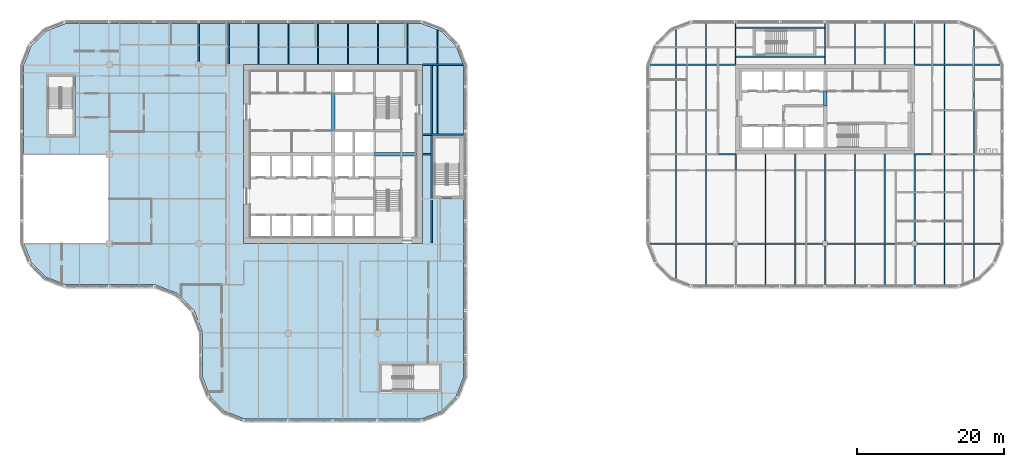
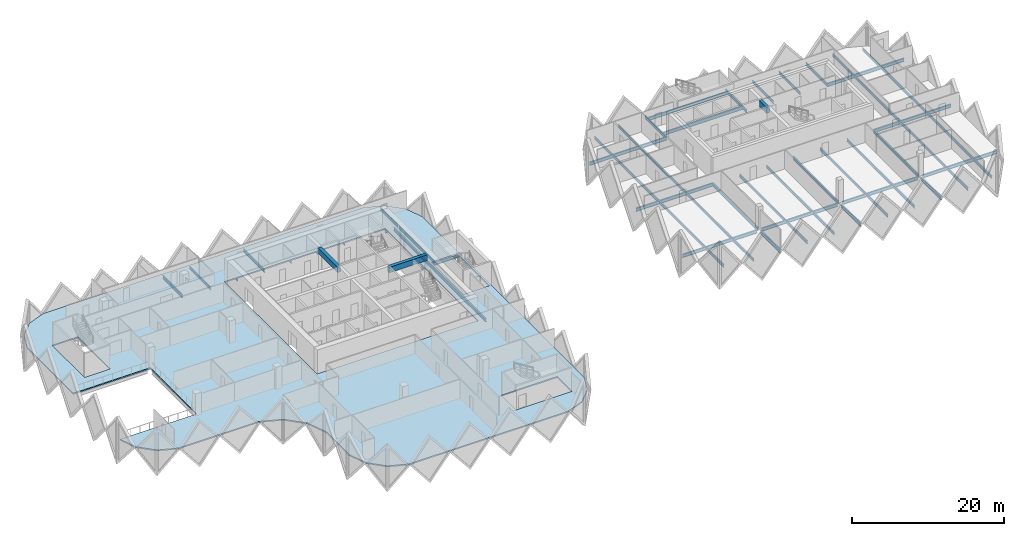
# One storey, part 2 of 19: 62 beams, 1 slab.
"""IFC4 building model written with IfcOpenShell, lengths in metres."""

import ifcopenshell
import ifcopenshell.guid

model = None  # the IFC model being written
_history = None  # IfcOwnerHistory: only IFC2X3 demands one
_inside = {}  # id of a spatial element -> (the spatial element, [elements in it])
_under = {}  # id of a project, library or spatial element -> (it, [spatial elements below it])
_declared = {}  # id of a project -> (the project, [libraries it declares])
_typed = {}  # id of a type object -> (the type object, [elements of that type])
_made_of = {}  # id of a material, layer set ... -> (it, [elements and type objects made of it])


def new_model(schema):
    """Start an empty IFC model of exactly this schema.

    Asked for "IFC4X3", IfcOpenShell would pick the latest addendum, in which some entities
    have other attributes; the version numbers below select the first issue.
    IFC2X3 requires an IfcOwnerHistory on every rooted entity: one is made here for all.
    """
    global model, _history
    if schema == "IFC4X3":
        model = ifcopenshell.file(schema_version=(4, 3, 0, 0))
    else:
        model = ifcopenshell.file(schema=schema)
    _inside.clear()
    _under.clear()
    _declared.clear()
    _typed.clear()
    _made_of.clear()
    _history = None
    if model.schema == "IFC2X3":
        org = make("IfcOrganization", Name="unknown")
        user = make(
            "IfcPersonAndOrganization",
            ThePerson=make("IfcPerson", FamilyName="unknown"),
            TheOrganization=org,
        )
        app = make(
            "IfcApplication",
            ApplicationDeveloper=org,
            Version="unknown",
            ApplicationFullName="unknown",
            ApplicationIdentifier="unknown",
        )
        _history = make(
            "IfcOwnerHistory",
            OwningUser=user,
            OwningApplication=app,
            ChangeAction="ADDED",
            CreationDate=0,
        )
    return model


def make(cls, **values):
    """One entity of the class cls with the attributes given. An attribute that is None is left unset."""
    return model.create_entity(
        cls, **{name: value for name, value in values.items() if value is not None}
    )


def rooted(cls, **values):
    """An entity with a GlobalId (a new one), such as an element, a storey or a relation."""
    return make(cls, GlobalId=ifcopenshell.guid.new(), OwnerHistory=_history, **values)


def si_unit(unit_type, name, prefix=None):
    """IfcSIUnit, for example si_unit("LENGTHUNIT", "METRE", prefix="MILLI")."""
    return make("IfcSIUnit", UnitType=unit_type, Prefix=prefix, Name=name)


def assignment(units):
    """IfcUnitAssignment: the units of a project."""
    return None if units is None else make("IfcUnitAssignment", Units=units)


def point(xyz):
    """IfcCartesianPoint."""
    return None if xyz is None else make("IfcCartesianPoint", Coordinates=xyz)


def direction(xyz):
    """IfcDirection."""
    return None if xyz is None else make("IfcDirection", DirectionRatios=xyz)


def frame(location, z_axis=None, x_axis=None):
    """IfcAxis2Placement3D, a coordinate frame: its origin and axes. An axis left out is left unset."""
    return make(
        "IfcAxis2Placement3D",
        Location=point(location),
        Axis=direction(z_axis),
        RefDirection=direction(x_axis),
    )


def frame_2d(location, x_axis=None):
    """IfcAxis2Placement2D, a coordinate frame in the plane: its origin and x axis."""
    return make(
        "IfcAxis2Placement2D", Location=point(location), RefDirection=direction(x_axis)
    )


def origin():
    """The frame at (0, 0, 0) with its axes left unset."""
    return frame((0.0, 0.0, 0.0))


def origin_2d():
    """The frame at (0, 0) in the plane with its x axis left unset."""
    return frame_2d((0.0, 0.0))


def place(relative_to, where):
    """IfcLocalPlacement: puts the frame where relative to a parent placement (None: the world)."""
    return make(
        "IfcLocalPlacement", PlacementRelTo=relative_to, RelativePlacement=where
    )


def context(
    kind, dimensions, precision=None, world=None, true_north=None, identifier=None
):
    """IfcGeometricRepresentationContext, for example the 3D "Model" context."""
    return make(
        "IfcGeometricRepresentationContext",
        ContextIdentifier=identifier,
        ContextType=kind,
        CoordinateSpaceDimension=dimensions,
        Precision=precision,
        WorldCoordinateSystem=world,
        TrueNorth=true_north,
    )


def subcontext(parent, identifier, kind, view, scale=None):
    """IfcGeometricRepresentationSubContext, for example "Body" below "Model"."""
    return make(
        "IfcGeometricRepresentationSubContext",
        ContextIdentifier=identifier,
        ContextType=kind,
        ParentContext=parent,
        TargetScale=scale,
        TargetView=view,
    )


def project(units=None, contexts=None):
    """IfcProject with its units and contexts."""
    return rooted(
        "IfcProject",
        Name="project",
        RepresentationContexts=contexts,
        UnitsInContext=assignment(units),
    )


def spatial(cls, under=None, at=None, **own):
    """A site, building, storey or space (cls), placed at a placement, below another one or the project."""
    s = rooted(cls, ObjectPlacement=at, **own)
    if under is not None:
        _under.setdefault(under.id(), (under, []))[1].append(s)
    return s


def polyline(points):
    """IfcPolyline through the points."""
    return make("IfcPolyline", Points=[point(p) for p in points])


def profile(cls, at=None, kind="AREA", **sizes):
    """A parametric profile (cls). Its sizes go by their IFC names, for example OverallWidth=200.0."""
    return make(cls, ProfileType=kind, Position=at, **sizes)


def rectangle(**sizes):
    """IfcRectangleProfileDef."""
    return profile("IfcRectangleProfileDef", **sizes)


def i_section(**sizes):
    """IfcIShapeProfileDef."""
    return profile("IfcIShapeProfileDef", **sizes)


def outline(outer, holes=None, kind="AREA"):
    """IfcArbitraryClosedProfileDef: a profile drawn as a closed curve; with holes, ...WithVoids."""
    if holes is None:
        return make("IfcArbitraryClosedProfileDef", ProfileType=kind, OuterCurve=outer)
    return make(
        "IfcArbitraryProfileDefWithVoids",
        ProfileType=kind,
        OuterCurve=outer,
        InnerCurves=holes,
    )


def extrude(swept, where, along, depth):
    """IfcExtrudedAreaSolid: the profile swept, set in the frame where, extruded along a direction by depth."""
    return make(
        "IfcExtrudedAreaSolid",
        SweptArea=swept,
        Position=where,
        ExtrudedDirection=direction(along),
        Depth=depth,
    )


def shape(context_of_items, identifier, shape_type, items):
    """IfcShapeRepresentation: the items that make up one representation, for example the "Body"."""
    return make(
        "IfcShapeRepresentation",
        ContextOfItems=context_of_items,
        RepresentationIdentifier=identifier,
        RepresentationType=shape_type,
        Items=items,
    )


def material(Name=None, Category=None):
    """IfcMaterial."""
    return make("IfcMaterial", Name=Name, Category=Category)


def layer(
    of_material, thickness, ventilated=None, Name=None, Category=None, Priority=None
):
    """IfcMaterialLayer: one layer of a wall or slab, of a material (None: an air gap)."""
    return make(
        "IfcMaterialLayer",
        Material=of_material,
        LayerThickness=thickness,
        IsVentilated=ventilated,
        Name=Name,
        Category=Category,
        Priority=Priority,
    )


def layer_set(layers, Name=None):
    """IfcMaterialLayerSet."""
    return make("IfcMaterialLayerSet", MaterialLayers=layers, LayerSetName=Name)


def material_profile(
    of_material, cross_section, Name=None, Category=None, Priority=None
):
    """IfcMaterialProfile: a cross section and its material."""
    return make(
        "IfcMaterialProfile",
        Name=Name,
        Material=of_material,
        Profile=cross_section,
        Priority=Priority,
        Category=Category,
    )


def profile_set(profiles, Name=None, composite=None):
    """IfcMaterialProfileSet."""
    return make(
        "IfcMaterialProfileSet",
        Name=Name,
        MaterialProfiles=profiles,
        CompositeProfile=composite,
    )


def made_of(thing, what):
    """Note that an element or type object is made of a material, layer set ...; save() writes the relation."""
    if what is not None:
        _made_of.setdefault(what.id(), (what, []))[1].append(thing)
    return thing


def type_object(cls, material=None, **own):
    """A type object (cls), such as IfcWallType, which elements share."""
    return made_of(rooted(cls, **own), material)


def element(
    cls,
    number,
    at=None,
    inside=None,
    cuts=None,
    type_object=None,
    material=None,
    context=None,
    identifier="Body",
    shape_type=None,
    held_by="IfcProductDefinitionShape",
    body=None,
    shapes=None,
    **own,
):
    """One element of the class cls, such as IfcWall. Its Tag is "e" and its number.

    at: its placement. inside: the storey or other place that contains it. cuts: it is an
    opening in that element (IfcRelVoidsElement). A single representation is given by context,
    identifier, shape_type and body (its items); several are given by shapes. held_by: the class
    of the entity that holds the representations. save() writes the other relations.
    """
    e = rooted(cls, Tag="e%d" % number, ObjectPlacement=at, **own)
    if body is not None:
        shapes = [shape(context, identifier, shape_type, body)]
    if shapes is not None:
        e.Representation = make(held_by, Representations=shapes)
    if inside is not None:
        _inside.setdefault(inside.id(), (inside, []))[1].append(e)
    if cuts is not None:
        rooted(
            "IfcRelVoidsElement", RelatingBuildingElement=cuts, RelatedOpeningElement=e
        )
    if type_object is not None:
        _typed.setdefault(type_object.id(), (type_object, []))[1].append(e)
    return made_of(e, material)


def aggregate(whole, parts):
    """IfcRelAggregates: a whole, such as a stair, and the parts it consists of."""
    return rooted("IfcRelAggregates", RelatingObject=whole, RelatedObjects=parts)


def save(model, path):
    """Write the relations noted so far, then the file.

    IfcRelAggregates (storeys below a building ...), IfcRelContainedInSpatialStructure (elements
    in a storey), IfcRelDefinesByType, IfcRelAssociatesMaterial and IfcRelDeclares: one each for
    every whole, place, type object, material and project.
    """
    for whole, parts in _under.values():
        aggregate(whole, parts)
    for where, things in _inside.values():
        rooted(
            "IfcRelContainedInSpatialStructure",
            RelatedElements=things,
            RelatingStructure=where,
        )
    for kind, things in _typed.values():
        rooted("IfcRelDefinesByType", RelatedObjects=things, RelatingType=kind)
    for what, things in _made_of.values():
        rooted("IfcRelAssociatesMaterial", RelatedObjects=things, RelatingMaterial=what)
    for by, libraries in _declared.values():
        rooted("IfcRelDeclares", RelatingContext=by, RelatedDefinitions=libraries)
    model.write(path)


model = new_model("IFC4")

# Units and contexts
model_context = context("Model", 3, precision=1e-05, world=origin(), true_north=direction((0.0, 1.0)))
body_context = subcontext(model_context, "Body", "Model", "MODEL_VIEW")
ifc_project = project(units=[si_unit("LENGTHUNIT", "METRE"), si_unit("AREAUNIT", "SQUARE_METRE"), si_unit("VOLUMEUNIT", "CUBIC_METRE"), si_unit("PLANEANGLEUNIT", "RADIAN"), si_unit("MASSUNIT", "GRAM", prefix="KILO")], contexts=[model_context])

# Site, building, storey
site_placement = place(None, origin())
site = spatial("IfcSite", under=ifc_project, at=site_placement, CompositionType="ELEMENT")
building_placement = place(site_placement, origin())
building = spatial("IfcBuilding", under=site, at=building_placement, Name="Tessera Gate Towers", CompositionType="ELEMENT")
storey_placement = place(building_placement, frame((0.0, 0.0, 80.0)))
storey = spatial("IfcBuildingStorey", under=building, at=storey_placement, Name="L19", CompositionType="ELEMENT", Elevation=80.0)

# Beams
ifc_material_1 = material(Name="Concrete C50/60", Category="concrete")
ifc_material_profile_1 = material_profile(ifc_material_1, rectangle(XDim=0.5, YDim=0.89990234375, at=origin_2d()), Name="RC 500x900")
ifc_profile_set_1 = profile_set([ifc_material_profile_1], Name="Concrete C50/60")
beam_type_1 = type_object("IfcBeamType", Name="COUPLING BEAM 500x900 C50/60", PredefinedType="BEAM", material=ifc_profile_set_1)
beam_1_placement = place(storey_placement, frame((109.800048828125, 43.199951171875, 3.14990234375), z_axis=(0.0, 1.0, 0.0), x_axis=(-1.0, 0.0, 0.0)))
element("IfcBeam", 1, at=beam_1_placement, inside=storey, type_object=beam_type_1, Name="L19 coupling beam 1", PredefinedType="BEAM", context=body_context, shape_type="SweptSolid", body=[
    extrude(rectangle(XDim=0.5, YDim=0.89990234375, at=origin_2d()), origin(), (0.0, 0.0, 1.0), 2.0),
])
ifc_material_2 = material(Name="Concrete C60/75", Category="concrete")
ifc_material_profile_2 = material_profile(ifc_material_2, rectangle(XDim=0.5, YDim=0.89990234375, at=origin_2d()), Name="RC 500x900")
ifc_profile_set_2 = profile_set([ifc_material_profile_2], Name="Concrete C60/75")
beam_type_2 = type_object("IfcBeamType", Name="COUPLING BEAM 500x900 C60/75", PredefinedType="BEAM", material=ifc_profile_set_2)
beam_2_placement = place(storey_placement, frame((48.35009765625, 36.60009765625, 3.14990234375), z_axis=(1.0, 0.0, 0.0), x_axis=(0.0, 1.0, 0.0)))
element("IfcBeam", 2, at=beam_2_placement, inside=storey, type_object=beam_type_2, Name="L19 coupling beam 1", PredefinedType="BEAM", context=body_context, shape_type="SweptSolid", body=[
    extrude(rectangle(XDim=0.5, YDim=0.89990234375, at=origin_2d()), origin(), (0.0, 0.0, 1.0), 5.75),
])
beam_3_placement = place(storey_placement, frame((42.699951171875, 39.800048828125, 3.14990234375), z_axis=(0.0, 1.0, 0.0), x_axis=(-1.0, 0.0, 0.0)))
element("IfcBeam", 3, at=beam_3_placement, inside=storey, type_object=beam_type_2, Name="L19 coupling beam 2", PredefinedType="BEAM", context=body_context, shape_type="SweptSolid", body=[
    extrude(rectangle(XDim=0.5, YDim=0.89990234375, at=origin_2d()), origin(), (0.0, 0.0, 1.0), 5.099853515625),
])
ifc_material_3 = material(Name="Steel 350W", Category="steel")
ifc_material_profile_3 = material_profile(ifc_material_3, i_section(OverallWidth=0.208984375, OverallDepth=0.532958984375, WebThickness=0.01025390625, FlangeThickness=0.015625, at=origin_2d()), Name="W530x92")
ifc_profile_set_3 = profile_set([ifc_material_profile_3], Name="Steel 350W")
beam_type_3 = type_object("IfcBeamType", Name="FLOOR GIRDER W530x92", PredefinedType="BEAM", material=ifc_profile_set_3)
beam_4_placement = place(storey_placement, frame((54.89892578125, 36.60009765625, -0.466552734375), z_axis=(1.0, 0.0, 0.0), x_axis=(0.0, 1.0, 0.0)))
element("IfcBeam", 4, at=beam_4_placement, inside=storey, type_object=beam_type_3, Name="T1-GD-L19-2592", PredefinedType="BEAM", context=body_context, shape_type="SweptSolid", body=[
    extrude(i_section(OverallWidth=0.208984375, OverallDepth=0.532958984375, WebThickness=0.01025390625, FlangeThickness=0.015625, at=origin_2d()), origin(), (0.0, 0.0, 1.0), 1.176513671875),
])
beam_5_placement = place(storey_placement, frame((54.90087890625, 48.800048828125, -0.466552734375), z_axis=(1.0, 0.0, 0.0), x_axis=(0.0, 1.0, 0.0)))
element("IfcBeam", 5, at=beam_5_placement, inside=storey, type_object=beam_type_3, Name="T1-GD-L19-2596", PredefinedType="BEAM", context=body_context, shape_type="SweptSolid", body=[
    extrude(i_section(OverallWidth=0.208984375, OverallDepth=0.532958984375, WebThickness=0.01025390625, FlangeThickness=0.015625, at=origin_2d()), origin(), (0.0, 0.0, 1.0), 5.564208984375),
])
beam_6_placement = place(storey_placement, frame((24.39990234375, 49.25, -0.466552734375), z_axis=(0.0, 1.0, 0.0), x_axis=(-1.0, 0.0, 0.0)))
element("IfcBeam", 6, at=beam_6_placement, inside=storey, type_object=beam_type_3, Name="T1-GD-L19-2604", PredefinedType="BEAM", context=body_context, shape_type="SweptSolid", body=[
    extrude(i_section(OverallWidth=0.208984375, OverallDepth=0.532958984375, WebThickness=0.01025390625, FlangeThickness=0.015625, at=origin_2d()), origin(), (0.0, 0.0, 1.0), 5.15087890625),
])
beam_7_placement = place(storey_placement, frame((54.89892578125, 39.219970703125, -0.466552734375), z_axis=(1.0, 0.0, 0.0), x_axis=(0.0, 1.0, 0.0)))
element("IfcBeam", 7, at=beam_7_placement, inside=storey, type_object=beam_type_3, Name="T1-GD-L19-2614", PredefinedType="BEAM", context=body_context, shape_type="SweptSolid", body=[
    extrude(i_section(OverallWidth=0.208984375, OverallDepth=0.532958984375, WebThickness=0.01025390625, FlangeThickness=0.015625, at=origin_2d()), origin(), (0.0, 0.0, 1.0), 5.60205078125),
])
beam_8_placement = place(storey_placement, frame((56.179931640625, 24.50439453125, -0.466552734375), z_axis=(0.0, 1.0, 0.0), x_axis=(-1.0, 0.0, 0.0)))
element("IfcBeam", 8, at=beam_8_placement, inside=storey, type_object=beam_type_3, Name="T1-GD-L19-2615", PredefinedType="BEAM", context=body_context, shape_type="SweptSolid", body=[
    extrude(i_section(OverallWidth=0.208984375, OverallDepth=0.532958984375, WebThickness=0.01025390625, FlangeThickness=0.015625, at=origin_2d()), origin(), (0.0, 0.0, 1.0), 24.191162109375),
])
beam_9_placement = place(storey_placement, frame((85.934814453125, 24.39990234375, -0.466552734375), z_axis=(1.0, 0.0, 0.0), x_axis=(0.0, 1.0, 0.0)))
element("IfcBeam", 9, at=beam_9_placement, inside=storey, type_object=beam_type_3, Name="T2-GD-L19-2656", PredefinedType="BEAM", context=body_context, shape_type="SweptSolid", body=[
    extrude(i_section(OverallWidth=0.208984375, OverallDepth=0.532958984375, WebThickness=0.01025390625, FlangeThickness=0.015625, at=origin_2d()), origin(), (0.0, 0.0, 1.0), 11.315185546875),
])
for number, where, z_axis, x_axis, name in (
    (10, (97.949951171875, 24.39990234375, -0.466552734375), (1.0, 0.0, 0.0), (0.0, 1.0, 0.0), "T2-GD-L19-2657"),
    (11, (110.14990234375, 24.39990234375, -0.466552734375), (1.0, 0.0, 0.0), (0.0, 1.0, 0.0), "T2-GD-L19-2658"),
):
    element("IfcBeam", number, at=place(storey_placement, frame(where, z_axis=z_axis, x_axis=x_axis)), inside=storey, type_object=beam_type_3, Name=name, PredefinedType="BEAM", context=body_context, shape_type="SweptSolid", body=[
        extrude(i_section(OverallWidth=0.208984375, OverallDepth=0.532958984375, WebThickness=0.01025390625, FlangeThickness=0.015625, at=origin_2d()), origin(), (0.0, 0.0, 1.0), 11.5),
    ])
beam_10_placement = place(storey_placement, frame((122.35009765625, 24.39990234375, -0.466552734375), z_axis=(1.0, 0.0, 0.0), x_axis=(0.0, 1.0, 0.0)))
element("IfcBeam", 12, at=beam_10_placement, inside=storey, type_object=beam_type_3, Name="T2-GD-L19-2659", PredefinedType="BEAM", context=body_context, shape_type="SweptSolid", body=[
    extrude(i_section(OverallWidth=0.208984375, OverallDepth=0.532958984375, WebThickness=0.01025390625, FlangeThickness=0.015625, at=origin_2d()), origin(), (0.0, 0.0, 1.0), 11.315185546875),
])
beam_11_placement = place(storey_placement, frame((85.89892578125, 36.60009765625, -0.466552734375), z_axis=(1.0, 0.0, 0.0), x_axis=(0.0, 1.0, 0.0)))
element("IfcBeam", 13, at=beam_11_placement, inside=storey, type_object=beam_type_3, Name="T2-GD-L19-2660", PredefinedType="BEAM", context=body_context, shape_type="SweptSolid", body=[
    extrude(i_section(OverallWidth=0.208984375, OverallDepth=0.532958984375, WebThickness=0.01025390625, FlangeThickness=0.015625, at=origin_2d()), origin(), (0.0, 0.0, 1.0), 11.7001953125),
])
beam_12_placement = place(storey_placement, frame((122.0009765625, 36.60009765625, -0.466552734375), z_axis=(1.0, 0.0, 0.0), x_axis=(0.0, 1.0, 0.0)))
element("IfcBeam", 14, at=beam_12_placement, inside=storey, type_object=beam_type_3, Name="T2-GD-L19-2661", PredefinedType="BEAM", context=body_context, shape_type="SweptSolid", body=[
    extrude(i_section(OverallWidth=0.208984375, OverallDepth=0.532958984375, WebThickness=0.01025390625, FlangeThickness=0.015625, at=origin_2d()), origin(), (0.0, 0.0, 1.0), 11.699951171875),
])
for number, where, z_axis, x_axis, name in (
    (15, (85.934814453125, 48.800048828125, -0.466552734375), (1.0, 0.0, 0.0), (0.0, 1.0, 0.0), "T2-GD-L19-2662"),
    (16, (122.0009765625, 48.800048828125, -0.466552734375), (1.0, 0.0, 0.0), (0.0, 1.0, 0.0), "T2-GD-L19-2663"),
):
    element("IfcBeam", number, at=place(storey_placement, frame(where, z_axis=z_axis, x_axis=x_axis)), inside=storey, type_object=beam_type_3, Name=name, PredefinedType="BEAM", context=body_context, shape_type="SweptSolid", body=[
        extrude(i_section(OverallWidth=0.208984375, OverallDepth=0.532958984375, WebThickness=0.01025390625, FlangeThickness=0.015625, at=origin_2d()), origin(), (0.0, 0.0, 1.0), 11.664306640625),
    ])
beam_13_placement = place(storey_placement, frame((97.60009765625, 18.799072265625, -0.466552734375), z_axis=(0.0, 1.0, 0.0), x_axis=(-1.0, 0.0, 0.0)))
element("IfcBeam", 17, at=beam_13_placement, inside=storey, type_object=beam_type_3, Name="T2-GD-L19-2664", PredefinedType="BEAM", context=body_context, shape_type="SweptSolid", body=[
    extrude(i_section(OverallWidth=0.208984375, OverallDepth=0.532958984375, WebThickness=0.01025390625, FlangeThickness=0.015625, at=origin_2d()), origin(), (0.0, 0.0, 1.0), 5.2509765625),
])
beam_14_placement = place(storey_placement, frame((97.60009765625, 24.75, -0.466552734375), z_axis=(0.0, 1.0, 0.0), x_axis=(-1.0, 0.0, 0.0)))
element("IfcBeam", 18, at=beam_14_placement, inside=storey, type_object=beam_type_3, Name="T2-GD-L19-2665", PredefinedType="BEAM", context=body_context, shape_type="SweptSolid", body=[
    extrude(i_section(OverallWidth=0.208984375, OverallDepth=0.532958984375, WebThickness=0.01025390625, FlangeThickness=0.015625, at=origin_2d()), origin(), (0.0, 0.0, 1.0), 11.85009765625),
])
beam_15_placement = place(storey_placement, frame((109.800048828125, 18.799072265625, -0.466552734375), z_axis=(0.0, 1.0, 0.0), x_axis=(-1.0, 0.0, 0.0)))
element("IfcBeam", 19, at=beam_15_placement, inside=storey, type_object=beam_type_3, Name="T2-GD-L19-2666", PredefinedType="BEAM", context=body_context, shape_type="SweptSolid", body=[
    extrude(i_section(OverallWidth=0.208984375, OverallDepth=0.532958984375, WebThickness=0.01025390625, FlangeThickness=0.015625, at=origin_2d()), origin(), (0.0, 0.0, 1.0), 5.2509765625),
])
beam_16_placement = place(storey_placement, frame((109.800048828125, 24.75, -0.466552734375), z_axis=(0.0, 1.0, 0.0), x_axis=(-1.0, 0.0, 0.0)))
element("IfcBeam", 20, at=beam_16_placement, inside=storey, type_object=beam_type_3, Name="T2-GD-L19-2667", PredefinedType="BEAM", context=body_context, shape_type="SweptSolid", body=[
    extrude(i_section(OverallWidth=0.208984375, OverallDepth=0.532958984375, WebThickness=0.01025390625, FlangeThickness=0.015625, at=origin_2d()), origin(), (0.0, 0.0, 1.0), 11.85009765625),
])
beam_17_placement = place(storey_placement, frame((122.0, 18.799072265625, -0.466552734375), z_axis=(0.0, 1.0, 0.0), x_axis=(-1.0, 0.0, 0.0)))
element("IfcBeam", 21, at=beam_17_placement, inside=storey, type_object=beam_type_3, Name="T2-GD-L19-2668", PredefinedType="BEAM", context=body_context, shape_type="SweptSolid", body=[
    extrude(i_section(OverallWidth=0.208984375, OverallDepth=0.532958984375, WebThickness=0.01025390625, FlangeThickness=0.015625, at=origin_2d()), origin(), (0.0, 0.0, 1.0), 5.2509765625),
])
beam_18_placement = place(storey_placement, frame((122.0, 24.75, -0.466552734375), z_axis=(0.0, 1.0, 0.0), x_axis=(-1.0, 0.0, 0.0)))
element("IfcBeam", 22, at=beam_18_placement, inside=storey, type_object=beam_type_3, Name="T2-GD-L19-2669", PredefinedType="BEAM", context=body_context, shape_type="SweptSolid", body=[
    extrude(i_section(OverallWidth=0.208984375, OverallDepth=0.532958984375, WebThickness=0.01025390625, FlangeThickness=0.015625, at=origin_2d()), origin(), (0.0, 0.0, 1.0), 11.85009765625),
])
for number, where, z_axis, x_axis, name in (
    (23, (97.676513671875, 49.8798828125, -0.466552734375), (1.0, 0.0, 0.0), (0.0, 1.0, 0.0), "T2-GD-L19-2670"),
    (24, (97.676513671875, 53.820068359375, -0.466552734375), (1.0, 0.0, 0.0), (0.0, 1.0, 0.0), "T2-GD-L19-2671"),
):
    element("IfcBeam", number, at=place(storey_placement, frame(where, z_axis=z_axis, x_axis=x_axis)), inside=storey, type_object=beam_type_3, Name=name, PredefinedType="BEAM", context=body_context, shape_type="SweptSolid", body=[
        extrude(i_section(OverallWidth=0.208984375, OverallDepth=0.532958984375, WebThickness=0.01025390625, FlangeThickness=0.015625, at=origin_2d()), origin(), (0.0, 0.0, 1.0), 12.046875),
    ])
ifc_material_4 = material(Name="Steel 350W", Category="steel")
ifc_material_profile_4 = material_profile(ifc_material_4, i_section(OverallWidth=0.153076171875, OverallDepth=0.455078125, WebThickness=0.008056640625, FlangeThickness=0.01318359375, at=origin_2d()), Name="W460x60")
ifc_profile_set_4 = profile_set([ifc_material_profile_4], Name="Steel 350W")
beam_type_4 = type_object("IfcBeamType", Name="FLOOR SECONDARY W460x60", PredefinedType="BEAM", material=ifc_profile_set_4)
beam_19_placement = place(storey_placement, frame((28.466796875, 48.904541015625, -0.427490234375), z_axis=(0.0, 1.0, 0.0), x_axis=(-1.0, 0.0, 0.0)))
element("IfcBeam", 25, at=beam_19_placement, inside=storey, type_object=beam_type_4, Name="T1-BM-L19-2634", PredefinedType="BEAM", context=body_context, shape_type="SweptSolid", body=[
    extrude(i_section(OverallWidth=0.153076171875, OverallDepth=0.455078125, WebThickness=0.008056640625, FlangeThickness=0.01318359375, at=origin_2d()), origin(), (0.0, 0.0, 1.0), 5.495361328125),
])
for number, where, z_axis, x_axis, name in (
    (26, (32.533203125, 48.800048828125, -0.427490234375), (0.0, 1.0, 0.0), (-1.0, 0.0, 0.0), "T1-BM-L19-2637"),
    (27, (36.60009765625, 48.800048828125, -0.427490234375), (0.0, 1.0, 0.0), (-1.0, 0.0, 0.0), "T1-BM-L19-2638"),
    (28, (40.666748046875, 48.800048828125, -0.427490234375), (0.0, 1.0, 0.0), (-1.0, 0.0, 0.0), "T1-BM-L19-2641"),
    (29, (44.7333984375, 48.800048828125, -0.427490234375), (0.0, 1.0, 0.0), (-1.0, 0.0, 0.0), "T1-BM-L19-2644"),
    (30, (48.800048828125, 48.800048828125, -0.427490234375), (0.0, 1.0, 0.0), (-1.0, 0.0, 0.0), "T1-BM-L19-2645"),
    (31, (52.86669921875, 48.800048828125, -0.427490234375), (0.0, 1.0, 0.0), (-1.0, 0.0, 0.0), "T1-BM-L19-2649"),
):
    element("IfcBeam", number, at=place(storey_placement, frame(where, z_axis=z_axis, x_axis=x_axis)), inside=storey, type_object=beam_type_4, Name=name, PredefinedType="BEAM", context=body_context, shape_type="SweptSolid", body=[
        extrude(i_section(OverallWidth=0.153076171875, OverallDepth=0.455078125, WebThickness=0.008056640625, FlangeThickness=0.01318359375, at=origin_2d()), origin(), (0.0, 0.0, 1.0), 5.599853515625),
    ])
beam_20_placement = place(storey_placement, frame((56.933349609375, 39.324462890625, -0.427490234375), z_axis=(0.0, 1.0, 0.0), x_axis=(-1.0, 0.0, 0.0)))
element("IfcBeam", 32, at=beam_20_placement, inside=storey, type_object=beam_type_4, Name="T1-BM-L19-2654", PredefinedType="BEAM", context=body_context, shape_type="SweptSolid", body=[
    extrude(i_section(OverallWidth=0.153076171875, OverallDepth=0.455078125, WebThickness=0.008056640625, FlangeThickness=0.01318359375, at=origin_2d()), origin(), (0.0, 0.0, 1.0), 9.37109375),
])
for number, where, z_axis, x_axis, name in (
    (33, (56.933349609375, 48.904541015625, -0.427490234375), (0.0, 1.0, 0.0), (-1.0, 0.0, 0.0), "T1-BM-L19-2655"),
    (34, (89.466796875, 19.620361328125, -0.427490234375), (0.0, 1.0, 0.0), (-1.0, 0.0, 0.0), "T2-BM-L19-2672"),
):
    element("IfcBeam", number, at=place(storey_placement, frame(where, z_axis=z_axis, x_axis=x_axis)), inside=storey, type_object=beam_type_4, Name=name, PredefinedType="BEAM", context=body_context, shape_type="SweptSolid", body=[
        extrude(i_section(OverallWidth=0.153076171875, OverallDepth=0.455078125, WebThickness=0.008056640625, FlangeThickness=0.01318359375, at=origin_2d()), origin(), (0.0, 0.0, 1.0), 4.675048828125),
    ])
beam_21_placement = place(storey_placement, frame((89.466796875, 24.50439453125, -0.427490234375), z_axis=(0.0, 1.0, 0.0), x_axis=(-1.0, 0.0, 0.0)))
element("IfcBeam", 35, at=beam_21_placement, inside=storey, type_object=beam_type_4, Name="T2-BM-L19-2673", PredefinedType="BEAM", context=body_context, shape_type="SweptSolid", body=[
    extrude(i_section(OverallWidth=0.153076171875, OverallDepth=0.455078125, WebThickness=0.008056640625, FlangeThickness=0.01318359375, at=origin_2d()), origin(), (0.0, 0.0, 1.0), 11.9912109375),
])
beam_22_placement = place(storey_placement, frame((89.466796875, 36.70458984375, -0.427490234375), z_axis=(0.0, 1.0, 0.0), x_axis=(-1.0, 0.0, 0.0)))
element("IfcBeam", 36, at=beam_22_placement, inside=storey, type_object=beam_type_4, Name="T2-BM-L19-2674", PredefinedType="BEAM", context=body_context, shape_type="SweptSolid", body=[
    extrude(i_section(OverallWidth=0.153076171875, OverallDepth=0.455078125, WebThickness=0.008056640625, FlangeThickness=0.01318359375, at=origin_2d()), origin(), (0.0, 0.0, 1.0), 11.990966796875),
])
beam_23_placement = place(storey_placement, frame((89.466796875, 48.904541015625, -0.427490234375), z_axis=(0.0, 1.0, 0.0), x_axis=(-1.0, 0.0, 0.0)))
element("IfcBeam", 37, at=beam_23_placement, inside=storey, type_object=beam_type_4, Name="T2-BM-L19-2675", PredefinedType="BEAM", context=body_context, shape_type="SweptSolid", body=[
    extrude(i_section(OverallWidth=0.153076171875, OverallDepth=0.455078125, WebThickness=0.008056640625, FlangeThickness=0.01318359375, at=origin_2d()), origin(), (0.0, 0.0, 1.0), 4.675048828125),
])
beam_24_placement = place(storey_placement, frame((93.533203125, 18.800048828125, -0.427490234375), z_axis=(0.0, 1.0, 0.0), x_axis=(-1.0, 0.0, 0.0)))
element("IfcBeam", 38, at=beam_24_placement, inside=storey, type_object=beam_type_4, Name="T2-BM-L19-2676", PredefinedType="BEAM", context=body_context, shape_type="SweptSolid", body=[
    extrude(i_section(OverallWidth=0.153076171875, OverallDepth=0.455078125, WebThickness=0.008056640625, FlangeThickness=0.01318359375, at=origin_2d()), origin(), (0.0, 0.0, 1.0), 5.495361328125),
])
beam_25_placement = place(storey_placement, frame((93.533203125, 24.50439453125, -0.427490234375), z_axis=(0.0, 1.0, 0.0), x_axis=(-1.0, 0.0, 0.0)))
element("IfcBeam", 39, at=beam_25_placement, inside=storey, type_object=beam_type_4, Name="T2-BM-L19-2677", PredefinedType="BEAM", context=body_context, shape_type="SweptSolid", body=[
    extrude(i_section(OverallWidth=0.153076171875, OverallDepth=0.455078125, WebThickness=0.008056640625, FlangeThickness=0.01318359375, at=origin_2d()), origin(), (0.0, 0.0, 1.0), 11.9912109375),
])
beam_26_placement = place(storey_placement, frame((93.533203125, 36.70458984375, -0.427490234375), z_axis=(0.0, 1.0, 0.0), x_axis=(-1.0, 0.0, 0.0)))
element("IfcBeam", 40, at=beam_26_placement, inside=storey, type_object=beam_type_4, Name="T2-BM-L19-2678", PredefinedType="BEAM", context=body_context, shape_type="SweptSolid", body=[
    extrude(i_section(OverallWidth=0.153076171875, OverallDepth=0.455078125, WebThickness=0.008056640625, FlangeThickness=0.01318359375, at=origin_2d()), origin(), (0.0, 0.0, 1.0), 11.990966796875),
])
beam_27_placement = place(storey_placement, frame((93.533203125, 48.904541015625, -0.427490234375), z_axis=(0.0, 1.0, 0.0), x_axis=(-1.0, 0.0, 0.0)))
element("IfcBeam", 41, at=beam_27_placement, inside=storey, type_object=beam_type_4, Name="T2-BM-L19-2679", PredefinedType="BEAM", context=body_context, shape_type="SweptSolid", body=[
    extrude(i_section(OverallWidth=0.153076171875, OverallDepth=0.455078125, WebThickness=0.008056640625, FlangeThickness=0.01318359375, at=origin_2d()), origin(), (0.0, 0.0, 1.0), 5.495361328125),
])
beam_28_placement = place(storey_placement, frame((97.60009765625, 48.800048828125, -0.427490234375), z_axis=(0.0, 1.0, 0.0), x_axis=(-1.0, 0.0, 0.0)))
element("IfcBeam", 42, at=beam_28_placement, inside=storey, type_object=beam_type_4, Name="T2-BM-L19-2680", PredefinedType="BEAM", context=body_context, shape_type="SweptSolid", body=[
    extrude(i_section(OverallWidth=0.153076171875, OverallDepth=0.455078125, WebThickness=0.008056640625, FlangeThickness=0.01318359375, at=origin_2d()), origin(), (0.0, 0.0, 1.0), 5.599853515625),
])
beam_29_placement = place(storey_placement, frame((101.666748046875, 18.800048828125, -0.427490234375), z_axis=(0.0, 1.0, 0.0), x_axis=(-1.0, 0.0, 0.0)))
element("IfcBeam", 43, at=beam_29_placement, inside=storey, type_object=beam_type_4, Name="T2-BM-L19-2681", PredefinedType="BEAM", context=body_context, shape_type="SweptSolid", body=[
    extrude(i_section(OverallWidth=0.153076171875, OverallDepth=0.455078125, WebThickness=0.008056640625, FlangeThickness=0.01318359375, at=origin_2d()), origin(), (0.0, 0.0, 1.0), 5.495361328125),
])
beam_30_placement = place(storey_placement, frame((101.666748046875, 24.50439453125, -0.427490234375), z_axis=(0.0, 1.0, 0.0), x_axis=(-1.0, 0.0, 0.0)))
element("IfcBeam", 44, at=beam_30_placement, inside=storey, type_object=beam_type_4, Name="T2-BM-L19-2682", PredefinedType="BEAM", context=body_context, shape_type="SweptSolid", body=[
    extrude(i_section(OverallWidth=0.153076171875, OverallDepth=0.455078125, WebThickness=0.008056640625, FlangeThickness=0.01318359375, at=origin_2d()), origin(), (0.0, 0.0, 1.0), 12.095703125),
])
beam_31_placement = place(storey_placement, frame((105.7333984375, 18.800048828125, -0.427490234375), z_axis=(0.0, 1.0, 0.0), x_axis=(-1.0, 0.0, 0.0)))
element("IfcBeam", 45, at=beam_31_placement, inside=storey, type_object=beam_type_4, Name="T2-BM-L19-2683", PredefinedType="BEAM", context=body_context, shape_type="SweptSolid", body=[
    extrude(i_section(OverallWidth=0.153076171875, OverallDepth=0.455078125, WebThickness=0.008056640625, FlangeThickness=0.01318359375, at=origin_2d()), origin(), (0.0, 0.0, 1.0), 5.495361328125),
])
beam_32_placement = place(storey_placement, frame((105.7333984375, 24.50439453125, -0.427490234375), z_axis=(0.0, 1.0, 0.0), x_axis=(-1.0, 0.0, 0.0)))
element("IfcBeam", 46, at=beam_32_placement, inside=storey, type_object=beam_type_4, Name="T2-BM-L19-2684", PredefinedType="BEAM", context=body_context, shape_type="SweptSolid", body=[
    extrude(i_section(OverallWidth=0.153076171875, OverallDepth=0.455078125, WebThickness=0.008056640625, FlangeThickness=0.01318359375, at=origin_2d()), origin(), (0.0, 0.0, 1.0), 12.095703125),
])
beam_33_placement = place(storey_placement, frame((109.800048828125, 48.800048828125, -0.427490234375), z_axis=(0.0, 1.0, 0.0), x_axis=(-1.0, 0.0, 0.0)))
element("IfcBeam", 47, at=beam_33_placement, inside=storey, type_object=beam_type_4, Name="T2-BM-L19-2685", PredefinedType="BEAM", context=body_context, shape_type="SweptSolid", body=[
    extrude(i_section(OverallWidth=0.153076171875, OverallDepth=0.455078125, WebThickness=0.008056640625, FlangeThickness=0.01318359375, at=origin_2d()), origin(), (0.0, 0.0, 1.0), 5.599853515625),
])
beam_34_placement = place(storey_placement, frame((113.86669921875, 18.800048828125, -0.427490234375), z_axis=(0.0, 1.0, 0.0), x_axis=(-1.0, 0.0, 0.0)))
element("IfcBeam", 48, at=beam_34_placement, inside=storey, type_object=beam_type_4, Name="T2-BM-L19-2686", PredefinedType="BEAM", context=body_context, shape_type="SweptSolid", body=[
    extrude(i_section(OverallWidth=0.153076171875, OverallDepth=0.455078125, WebThickness=0.008056640625, FlangeThickness=0.01318359375, at=origin_2d()), origin(), (0.0, 0.0, 1.0), 5.495361328125),
])
beam_35_placement = place(storey_placement, frame((113.86669921875, 24.50439453125, -0.427490234375), z_axis=(0.0, 1.0, 0.0), x_axis=(-1.0, 0.0, 0.0)))
element("IfcBeam", 49, at=beam_35_placement, inside=storey, type_object=beam_type_4, Name="T2-BM-L19-2687", PredefinedType="BEAM", context=body_context, shape_type="SweptSolid", body=[
    extrude(i_section(OverallWidth=0.153076171875, OverallDepth=0.455078125, WebThickness=0.008056640625, FlangeThickness=0.01318359375, at=origin_2d()), origin(), (0.0, 0.0, 1.0), 12.095703125),
])
beam_36_placement = place(storey_placement, frame((113.86669921875, 48.800048828125, -0.427490234375), z_axis=(0.0, 1.0, 0.0), x_axis=(-1.0, 0.0, 0.0)))
element("IfcBeam", 50, at=beam_36_placement, inside=storey, type_object=beam_type_4, Name="T2-BM-L19-2688", PredefinedType="BEAM", context=body_context, shape_type="SweptSolid", body=[
    extrude(i_section(OverallWidth=0.153076171875, OverallDepth=0.455078125, WebThickness=0.008056640625, FlangeThickness=0.01318359375, at=origin_2d()), origin(), (0.0, 0.0, 1.0), 5.599853515625),
])
beam_37_placement = place(storey_placement, frame((117.933349609375, 18.800048828125, -0.427490234375), z_axis=(0.0, 1.0, 0.0), x_axis=(-1.0, 0.0, 0.0)))
element("IfcBeam", 51, at=beam_37_placement, inside=storey, type_object=beam_type_4, Name="T2-BM-L19-2689", PredefinedType="BEAM", context=body_context, shape_type="SweptSolid", body=[
    extrude(i_section(OverallWidth=0.153076171875, OverallDepth=0.455078125, WebThickness=0.008056640625, FlangeThickness=0.01318359375, at=origin_2d()), origin(), (0.0, 0.0, 1.0), 5.495361328125),
])
beam_38_placement = place(storey_placement, frame((117.933349609375, 24.50439453125, -0.427490234375), z_axis=(0.0, 1.0, 0.0), x_axis=(-1.0, 0.0, 0.0)))
element("IfcBeam", 52, at=beam_38_placement, inside=storey, type_object=beam_type_4, Name="T2-BM-L19-2690", PredefinedType="BEAM", context=body_context, shape_type="SweptSolid", body=[
    extrude(i_section(OverallWidth=0.153076171875, OverallDepth=0.455078125, WebThickness=0.008056640625, FlangeThickness=0.01318359375, at=origin_2d()), origin(), (0.0, 0.0, 1.0), 12.095703125),
])
for number, where, z_axis, x_axis, name in (
    (53, (117.933349609375, 48.800048828125, -0.427490234375), (0.0, 1.0, 0.0), (-1.0, 0.0, 0.0), "T2-BM-L19-2691"),
    (54, (122.0, 48.800048828125, -0.427490234375), (0.0, 1.0, 0.0), (-1.0, 0.0, 0.0), "T2-BM-L19-2692"),
):
    element("IfcBeam", number, at=place(storey_placement, frame(where, z_axis=z_axis, x_axis=x_axis)), inside=storey, type_object=beam_type_4, Name=name, PredefinedType="BEAM", context=body_context, shape_type="SweptSolid", body=[
        extrude(i_section(OverallWidth=0.153076171875, OverallDepth=0.455078125, WebThickness=0.008056640625, FlangeThickness=0.01318359375, at=origin_2d()), origin(), (0.0, 0.0, 1.0), 5.599853515625),
    ])
beam_39_placement = place(storey_placement, frame((126.066650390625, 18.800048828125, -0.427490234375), z_axis=(0.0, 1.0, 0.0), x_axis=(-1.0, 0.0, 0.0)))
element("IfcBeam", 55, at=beam_39_placement, inside=storey, type_object=beam_type_4, Name="T2-BM-L19-2693", PredefinedType="BEAM", context=body_context, shape_type="SweptSolid", body=[
    extrude(i_section(OverallWidth=0.153076171875, OverallDepth=0.455078125, WebThickness=0.008056640625, FlangeThickness=0.01318359375, at=origin_2d()), origin(), (0.0, 0.0, 1.0), 5.495361328125),
])
beam_40_placement = place(storey_placement, frame((126.066650390625, 24.50439453125, -0.427490234375), z_axis=(0.0, 1.0, 0.0), x_axis=(-1.0, 0.0, 0.0)))
element("IfcBeam", 56, at=beam_40_placement, inside=storey, type_object=beam_type_4, Name="T2-BM-L19-2694", PredefinedType="BEAM", context=body_context, shape_type="SweptSolid", body=[
    extrude(i_section(OverallWidth=0.153076171875, OverallDepth=0.455078125, WebThickness=0.008056640625, FlangeThickness=0.01318359375, at=origin_2d()), origin(), (0.0, 0.0, 1.0), 11.9912109375),
])
beam_41_placement = place(storey_placement, frame((126.066650390625, 36.70458984375, -0.427490234375), z_axis=(0.0, 1.0, 0.0), x_axis=(-1.0, 0.0, 0.0)))
element("IfcBeam", 57, at=beam_41_placement, inside=storey, type_object=beam_type_4, Name="T2-BM-L19-2695", PredefinedType="BEAM", context=body_context, shape_type="SweptSolid", body=[
    extrude(i_section(OverallWidth=0.153076171875, OverallDepth=0.455078125, WebThickness=0.008056640625, FlangeThickness=0.01318359375, at=origin_2d()), origin(), (0.0, 0.0, 1.0), 11.990966796875),
])
beam_42_placement = place(storey_placement, frame((126.066650390625, 48.904541015625, -0.427490234375), z_axis=(0.0, 1.0, 0.0), x_axis=(-1.0, 0.0, 0.0)))
element("IfcBeam", 58, at=beam_42_placement, inside=storey, type_object=beam_type_4, Name="T2-BM-L19-2696", PredefinedType="BEAM", context=body_context, shape_type="SweptSolid", body=[
    extrude(i_section(OverallWidth=0.153076171875, OverallDepth=0.455078125, WebThickness=0.008056640625, FlangeThickness=0.01318359375, at=origin_2d()), origin(), (0.0, 0.0, 1.0), 5.495361328125),
])
beam_43_placement = place(storey_placement, frame((130.13330078125, 19.620361328125, -0.427490234375), z_axis=(0.0, 1.0, 0.0), x_axis=(-1.0, 0.0, 0.0)))
element("IfcBeam", 59, at=beam_43_placement, inside=storey, type_object=beam_type_4, Name="T2-BM-L19-2697", PredefinedType="BEAM", context=body_context, shape_type="SweptSolid", body=[
    extrude(i_section(OverallWidth=0.153076171875, OverallDepth=0.455078125, WebThickness=0.008056640625, FlangeThickness=0.01318359375, at=origin_2d()), origin(), (0.0, 0.0, 1.0), 4.675048828125),
])
beam_44_placement = place(storey_placement, frame((130.13330078125, 24.50439453125, -0.427490234375), z_axis=(0.0, 1.0, 0.0), x_axis=(-1.0, 0.0, 0.0)))
element("IfcBeam", 60, at=beam_44_placement, inside=storey, type_object=beam_type_4, Name="T2-BM-L19-2698", PredefinedType="BEAM", context=body_context, shape_type="SweptSolid", body=[
    extrude(i_section(OverallWidth=0.153076171875, OverallDepth=0.455078125, WebThickness=0.008056640625, FlangeThickness=0.01318359375, at=origin_2d()), origin(), (0.0, 0.0, 1.0), 11.9912109375),
])
beam_45_placement = place(storey_placement, frame((130.13330078125, 36.70458984375, -0.427490234375), z_axis=(0.0, 1.0, 0.0), x_axis=(-1.0, 0.0, 0.0)))
element("IfcBeam", 61, at=beam_45_placement, inside=storey, type_object=beam_type_4, Name="T2-BM-L19-2699", PredefinedType="BEAM", context=body_context, shape_type="SweptSolid", body=[
    extrude(i_section(OverallWidth=0.153076171875, OverallDepth=0.455078125, WebThickness=0.008056640625, FlangeThickness=0.01318359375, at=origin_2d()), origin(), (0.0, 0.0, 1.0), 11.990966796875),
])
beam_46_placement = place(storey_placement, frame((130.13330078125, 48.904541015625, -0.427490234375), z_axis=(0.0, 1.0, 0.0), x_axis=(-1.0, 0.0, 0.0)))
element("IfcBeam", 62, at=beam_46_placement, inside=storey, type_object=beam_type_4, Name="T2-BM-L19-2700", PredefinedType="BEAM", context=body_context, shape_type="SweptSolid", body=[
    extrude(i_section(OverallWidth=0.153076171875, OverallDepth=0.455078125, WebThickness=0.008056640625, FlangeThickness=0.01318359375, at=origin_2d()), origin(), (0.0, 0.0, 1.0), 4.675048828125),
])

# Slab
ifc_material_5 = material(Name="Concrete C35/45", Category="concrete")
ifc_layer = layer(ifc_material_5, 0.199951171875)
ifc_layer_set = layer_set([ifc_layer], Name="COMPOSITE FLOOR 200")
slab_type = type_object("IfcSlabType", Name="COMPOSITE FLOOR 200", PredefinedType="FLOOR", material=ifc_layer_set)
slab_placement = place(storey_placement, frame((0.0, 0.0, -0.199951171875)))
element("IfcSlab", 63, at=slab_placement, inside=storey, type_object=slab_type, Name="T1-L19", PredefinedType="FLOOR", context=body_context, shape_type="SweptSolid", body=[
    extrude(outline(polyline([(0.5, 36.60009765625), (12.199951171875, 36.60009765625), (12.199951171875, 24.39990234375), (0.535888671875, 24.39990234375), (1.526123046875, 21.8330078125), (3.533203125, 19.826171875), (6.193115234375, 18.800048828125), (18.39306640625, 18.800048828125), (21.42431640625, 17.630615234375), (23.730712890625, 15.32421875), (24.89990234375, 12.293212890625), (24.89990234375, 6.193115234375), (25.926025390625, 3.533203125), (27.93310546875, 1.526123046875), (30.593017578125, 0.5), (54.806884765625, 0.5), (57.466796875, 1.526123046875), (59.473876953125, 3.533203125), (60.5, 6.193115234375), (60.5, 48.706787109375), (59.473876953125, 51.366943359375), (57.466796875, 53.373779296875), (54.806884765625, 54.39990234375), (6.193115234375, 54.39990234375), (3.533203125, 53.373779296875), (1.526123046875, 51.366943359375), (0.5, 48.706787109375), (0.5, 36.60009765625)]), holes=[polyline([(3.60009765625, 39.0), (3.60009765625, 47.5), (7.5, 47.5), (7.5, 39.0), (3.60009765625, 39.0)]), polyline([(30.5, 24.39990234375), (30.5, 48.800048828125), (54.89990234375, 48.800048828125), (54.89990234375, 24.39990234375), (30.5, 24.39990234375)]), polyline([(49.0, 4.199951171875), (49.0, 8.10009765625), (57.5, 8.10009765625), (57.5, 4.199951171875), (49.0, 4.199951171875)]), polyline([(56.300048828125, 30.60009765625), (56.300048828125, 39.10009765625), (60.199951171875, 39.10009765625), (60.199951171875, 30.60009765625), (56.300048828125, 30.60009765625)])]), origin(), (0.0, 0.0, 1.0), 0.199951171875),
])

save(model, "model.ifc")
